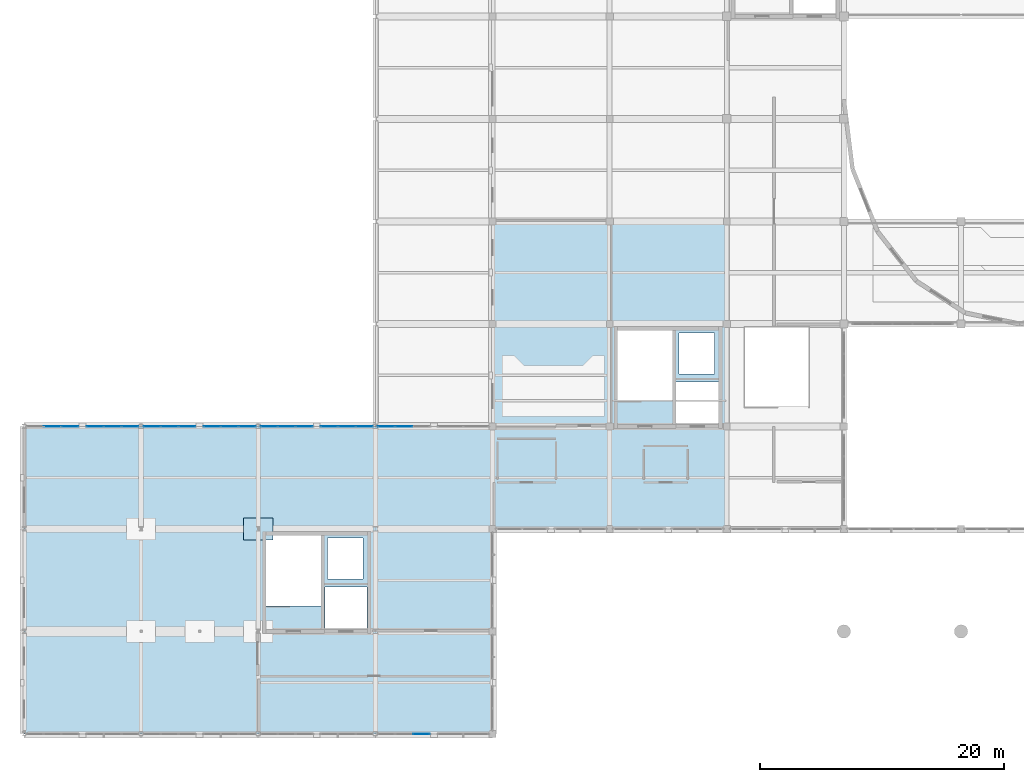
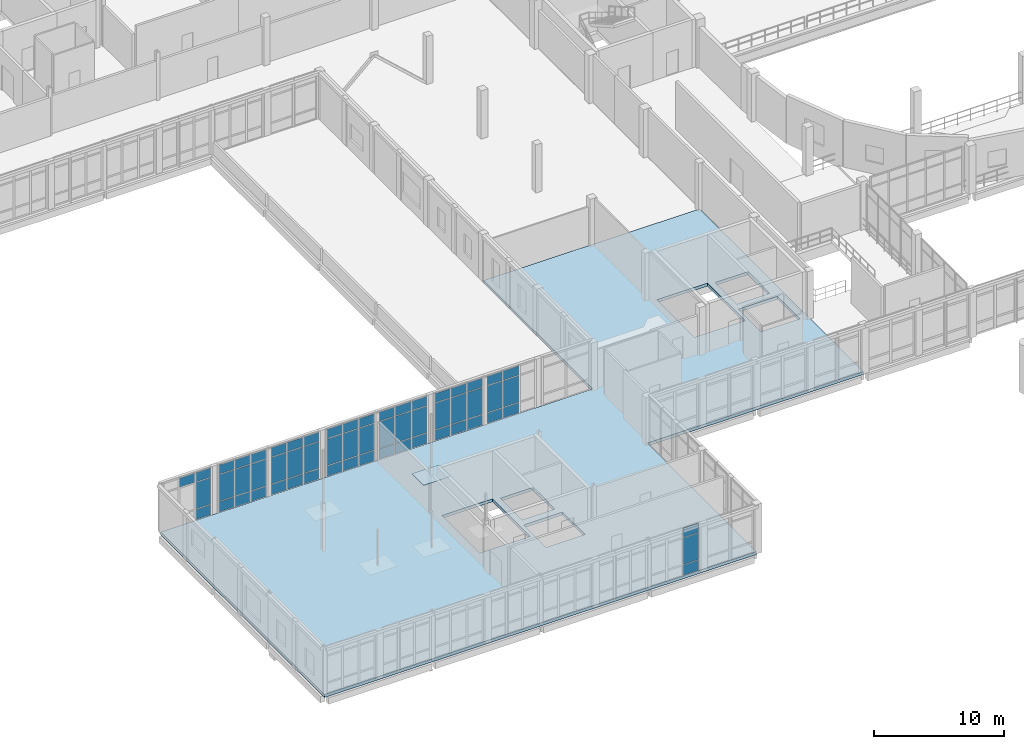
# One storey, part 62 of 88: 59 plates, 1 slab, 8 elements without a shape of their own.
"""IFC4 building model written with IfcOpenShell, lengths in metres."""

import ifcopenshell
import ifcopenshell.guid

model = None  # the IFC model being written
_history = None  # IfcOwnerHistory: only IFC2X3 demands one
_inside = {}  # id of a spatial element -> (the spatial element, [elements in it])
_under = {}  # id of a project, library or spatial element -> (it, [spatial elements below it])
_declared = {}  # id of a project -> (the project, [libraries it declares])
_typed = {}  # id of a type object -> (the type object, [elements of that type])
_made_of = {}  # id of a material, layer set ... -> (it, [elements and type objects made of it])


def new_model(schema):
    """Start an empty IFC model of exactly this schema.

    Asked for "IFC4X3", IfcOpenShell would pick the latest addendum, in which some entities
    have other attributes; the version numbers below select the first issue.
    IFC2X3 requires an IfcOwnerHistory on every rooted entity: one is made here for all.
    """
    global model, _history
    if schema == "IFC4X3":
        model = ifcopenshell.file(schema_version=(4, 3, 0, 0))
    else:
        model = ifcopenshell.file(schema=schema)
    _inside.clear()
    _under.clear()
    _declared.clear()
    _typed.clear()
    _made_of.clear()
    _history = None
    if model.schema == "IFC2X3":
        org = make("IfcOrganization", Name="unknown")
        user = make(
            "IfcPersonAndOrganization",
            ThePerson=make("IfcPerson", FamilyName="unknown"),
            TheOrganization=org,
        )
        app = make(
            "IfcApplication",
            ApplicationDeveloper=org,
            Version="unknown",
            ApplicationFullName="unknown",
            ApplicationIdentifier="unknown",
        )
        _history = make(
            "IfcOwnerHistory",
            OwningUser=user,
            OwningApplication=app,
            ChangeAction="ADDED",
            CreationDate=0,
        )
    return model


def make(cls, **values):
    """One entity of the class cls with the attributes given. An attribute that is None is left unset."""
    return model.create_entity(
        cls, **{name: value for name, value in values.items() if value is not None}
    )


def rooted(cls, **values):
    """An entity with a GlobalId (a new one), such as an element, a storey or a relation."""
    return make(cls, GlobalId=ifcopenshell.guid.new(), OwnerHistory=_history, **values)


def si_unit(unit_type, name, prefix=None):
    """IfcSIUnit, for example si_unit("LENGTHUNIT", "METRE", prefix="MILLI")."""
    return make("IfcSIUnit", UnitType=unit_type, Prefix=prefix, Name=name)


def assignment(units):
    """IfcUnitAssignment: the units of a project."""
    return None if units is None else make("IfcUnitAssignment", Units=units)


def point(xyz):
    """IfcCartesianPoint."""
    return None if xyz is None else make("IfcCartesianPoint", Coordinates=xyz)


def direction(xyz):
    """IfcDirection."""
    return None if xyz is None else make("IfcDirection", DirectionRatios=xyz)


def frame(location, z_axis=None, x_axis=None):
    """IfcAxis2Placement3D, a coordinate frame: its origin and axes. An axis left out is left unset."""
    return make(
        "IfcAxis2Placement3D",
        Location=point(location),
        Axis=direction(z_axis),
        RefDirection=direction(x_axis),
    )


def frame_2d(location, x_axis=None):
    """IfcAxis2Placement2D, a coordinate frame in the plane: its origin and x axis."""
    return make(
        "IfcAxis2Placement2D", Location=point(location), RefDirection=direction(x_axis)
    )


def origin():
    """The frame at (0, 0, 0) with its axes left unset."""
    return frame((0.0, 0.0, 0.0))


def origin_2d():
    """The frame at (0, 0) in the plane with its x axis left unset."""
    return frame_2d((0.0, 0.0))


def place(relative_to, where):
    """IfcLocalPlacement: puts the frame where relative to a parent placement (None: the world)."""
    return make(
        "IfcLocalPlacement", PlacementRelTo=relative_to, RelativePlacement=where
    )


def context(
    kind, dimensions, precision=None, world=None, true_north=None, identifier=None
):
    """IfcGeometricRepresentationContext, for example the 3D "Model" context."""
    return make(
        "IfcGeometricRepresentationContext",
        ContextIdentifier=identifier,
        ContextType=kind,
        CoordinateSpaceDimension=dimensions,
        Precision=precision,
        WorldCoordinateSystem=world,
        TrueNorth=true_north,
    )


def subcontext(parent, identifier, kind, view, scale=None):
    """IfcGeometricRepresentationSubContext, for example "Body" below "Model"."""
    return make(
        "IfcGeometricRepresentationSubContext",
        ContextIdentifier=identifier,
        ContextType=kind,
        ParentContext=parent,
        TargetScale=scale,
        TargetView=view,
    )


def project(units=None, contexts=None):
    """IfcProject with its units and contexts."""
    return rooted(
        "IfcProject",
        Name="project",
        RepresentationContexts=contexts,
        UnitsInContext=assignment(units),
    )


def spatial(cls, under=None, at=None, **own):
    """A site, building, storey or space (cls), placed at a placement, below another one or the project."""
    s = rooted(cls, ObjectPlacement=at, **own)
    if under is not None:
        _under.setdefault(under.id(), (under, []))[1].append(s)
    return s


def polyline(points):
    """IfcPolyline through the points."""
    return make("IfcPolyline", Points=[point(p) for p in points])


def profile(cls, at=None, kind="AREA", **sizes):
    """A parametric profile (cls). Its sizes go by their IFC names, for example OverallWidth=200.0."""
    return make(cls, ProfileType=kind, Position=at, **sizes)


def rectangle(**sizes):
    """IfcRectangleProfileDef."""
    return profile("IfcRectangleProfileDef", **sizes)


def outline(outer, holes=None, kind="AREA"):
    """IfcArbitraryClosedProfileDef: a profile drawn as a closed curve; with holes, ...WithVoids."""
    if holes is None:
        return make("IfcArbitraryClosedProfileDef", ProfileType=kind, OuterCurve=outer)
    return make(
        "IfcArbitraryProfileDefWithVoids",
        ProfileType=kind,
        OuterCurve=outer,
        InnerCurves=holes,
    )


def extrude(swept, where, along, depth):
    """IfcExtrudedAreaSolid: the profile swept, set in the frame where, extruded along a direction by depth."""
    return make(
        "IfcExtrudedAreaSolid",
        SweptArea=swept,
        Position=where,
        ExtrudedDirection=direction(along),
        Depth=depth,
    )


def shape(context_of_items, identifier, shape_type, items):
    """IfcShapeRepresentation: the items that make up one representation, for example the "Body"."""
    return make(
        "IfcShapeRepresentation",
        ContextOfItems=context_of_items,
        RepresentationIdentifier=identifier,
        RepresentationType=shape_type,
        Items=items,
    )


def material(Name=None, Category=None):
    """IfcMaterial."""
    return make("IfcMaterial", Name=Name, Category=Category)


def layer(
    of_material, thickness, ventilated=None, Name=None, Category=None, Priority=None
):
    """IfcMaterialLayer: one layer of a wall or slab, of a material (None: an air gap)."""
    return make(
        "IfcMaterialLayer",
        Material=of_material,
        LayerThickness=thickness,
        IsVentilated=ventilated,
        Name=Name,
        Category=Category,
        Priority=Priority,
    )


def layer_set(layers, Name=None):
    """IfcMaterialLayerSet."""
    return make("IfcMaterialLayerSet", MaterialLayers=layers, LayerSetName=Name)


def made_of(thing, what):
    """Note that an element or type object is made of a material, layer set ...; save() writes the relation."""
    if what is not None:
        _made_of.setdefault(what.id(), (what, []))[1].append(thing)
    return thing


def type_object(cls, material=None, **own):
    """A type object (cls), such as IfcWallType, which elements share."""
    return made_of(rooted(cls, **own), material)


def element(
    cls,
    number,
    at=None,
    inside=None,
    cuts=None,
    type_object=None,
    material=None,
    context=None,
    identifier="Body",
    shape_type=None,
    held_by="IfcProductDefinitionShape",
    body=None,
    shapes=None,
    **own,
):
    """One element of the class cls, such as IfcWall. Its Tag is "e" and its number.

    at: its placement. inside: the storey or other place that contains it. cuts: it is an
    opening in that element (IfcRelVoidsElement). A single representation is given by context,
    identifier, shape_type and body (its items); several are given by shapes. held_by: the class
    of the entity that holds the representations. save() writes the other relations.
    """
    e = rooted(cls, Tag="e%d" % number, ObjectPlacement=at, **own)
    if body is not None:
        shapes = [shape(context, identifier, shape_type, body)]
    if shapes is not None:
        e.Representation = make(held_by, Representations=shapes)
    if inside is not None:
        _inside.setdefault(inside.id(), (inside, []))[1].append(e)
    if cuts is not None:
        rooted(
            "IfcRelVoidsElement", RelatingBuildingElement=cuts, RelatedOpeningElement=e
        )
    if type_object is not None:
        _typed.setdefault(type_object.id(), (type_object, []))[1].append(e)
    return made_of(e, material)


def aggregate(whole, parts):
    """IfcRelAggregates: a whole, such as a stair, and the parts it consists of."""
    return rooted("IfcRelAggregates", RelatingObject=whole, RelatedObjects=parts)


def save(model, path):
    """Write the relations noted so far, then the file.

    IfcRelAggregates (storeys below a building ...), IfcRelContainedInSpatialStructure (elements
    in a storey), IfcRelDefinesByType, IfcRelAssociatesMaterial and IfcRelDeclares: one each for
    every whole, place, type object, material and project.
    """
    for whole, parts in _under.values():
        aggregate(whole, parts)
    for where, things in _inside.values():
        rooted(
            "IfcRelContainedInSpatialStructure",
            RelatedElements=things,
            RelatingStructure=where,
        )
    for kind, things in _typed.values():
        rooted("IfcRelDefinesByType", RelatedObjects=things, RelatingType=kind)
    for what, things in _made_of.values():
        rooted("IfcRelAssociatesMaterial", RelatedObjects=things, RelatingMaterial=what)
    for by, libraries in _declared.values():
        rooted("IfcRelDeclares", RelatingContext=by, RelatedDefinitions=libraries)
    model.write(path)


model = new_model("IFC4")

# Units and contexts
model_context = context("Model", 3, precision=1e-05, world=origin(), true_north=direction((0.0, 1.0)))
body_context = subcontext(model_context, "Body", "Model", "MODEL_VIEW")
ifc_project = project(units=[si_unit("LENGTHUNIT", "METRE"), si_unit("AREAUNIT", "SQUARE_METRE"), si_unit("VOLUMEUNIT", "CUBIC_METRE"), si_unit("PLANEANGLEUNIT", "RADIAN"), si_unit("MASSUNIT", "GRAM", prefix="KILO")], contexts=[model_context])

# Site, building, storey
site_placement = place(None, origin())
site = spatial("IfcSite", under=ifc_project, at=site_placement, CompositionType="ELEMENT")
building_placement = place(site_placement, origin())
building = spatial("IfcBuilding", under=site, at=building_placement, Name="Lornevale Opera House", CompositionType="ELEMENT")
storey_placement = place(building_placement, frame((0.0, 0.0, 10.199951171875)))
storey = spatial("IfcBuildingStorey", under=building, at=storey_placement, Name="L03", CompositionType="ELEMENT", Elevation=10.199951171875)

# Curtain wall, plates
ifc_material_1 = material(Name="Anodized Oxide-Green Aluminium Framing", Category="aluminium")
ifc_layer_1 = layer(ifc_material_1, 0.175048828125)
ifc_layer_set_1 = layer_set([ifc_layer_1], Name="Anodized Oxide-Green Aluminium Framing")
curtain_wall_type = type_object("IfcCurtainWallType", Name="Chamber Cloister Curtain Wall M1700", PredefinedType="NOTDEFINED", material=ifc_layer_set_1)
curtain_wall_1_placement = place(storey_placement, origin())
curtain_wall_1 = element("IfcCurtainWall", 1, at=curtain_wall_1_placement, inside=storey, type_object=curtain_wall_type, Name="Chamber Cloister Curtain Wall M1700 CW-094", PredefinedType="NOTDEFINED")
ifc_material_2 = material(Name="Triple Low-E Insulated Glazing", Category="glass")
ifc_layer_2 = layer(ifc_material_2, 0.0419921875)
ifc_layer_set_2 = layer_set([ifc_layer_2], Name="Triple Low-E Insulated Glazing")
plate_type_1 = type_object("IfcPlateType", Name="Ceramic Fritted Bird-Safe Panel 42", PredefinedType="CURTAIN_PANEL", material=ifc_layer_set_2)
plate_1_placement = place(storey_placement, frame((2.335205078125, 25.199951171875, 3.62255859375), z_axis=(0.0, 0.0, 1.0), x_axis=(1.0, 0.0, 0.0)))
plate_1 = element("IfcPlate", 2, at=plate_1_placement, type_object=plate_type_1, Name="Ceramic Fritted Bird-Safe Panel 42 CW1887", PredefinedType="CURTAIN_PANEL", context=body_context, shape_type="SweptSolid", body=[
    extrude(rectangle(XDim=1.3916015625, YDim=0.0419921875, at=origin_2d()), origin(), (0.0, 0.0, 1.0), 0.8525390625),
])
plate_2_placement = place(storey_placement, frame((3.775390625, 25.199951171875, 0.06494140625), z_axis=(0.0, 0.0, 1.0), x_axis=(1.0, 0.0, 0.0)))
plate_2 = element("IfcPlate", 3, at=plate_2_placement, type_object=plate_type_1, Name="Ceramic Fritted Bird-Safe Panel 42 CW1892", PredefinedType="CURTAIN_PANEL", context=body_context, shape_type="SweptSolid", body=[
    extrude(rectangle(XDim=1.35888671875, YDim=0.0419921875, at=origin_2d()), origin(), (0.0, 0.0, 1.0), 0.952392578125),
])
plate_3_placement = place(storey_placement, frame((3.775390625, 25.199951171875, 1.08251953125), z_axis=(0.0, 0.0, 1.0), x_axis=(1.0, 0.0, 0.0)))
plate_3 = element("IfcPlate", 4, at=plate_3_placement, type_object=plate_type_1, Name="Ceramic Fritted Bird-Safe Panel 42 CW1893", PredefinedType="CURTAIN_PANEL", context=body_context, shape_type="SweptSolid", body=[
    extrude(rectangle(XDim=1.35888671875, YDim=0.0419921875, at=origin_2d()), origin(), (0.0, 0.0, 1.0), 2.47509765625),
])
plate_4_placement = place(storey_placement, frame((3.775390625, 25.199951171875, 3.62255859375), z_axis=(0.0, 0.0, 1.0), x_axis=(1.0, 0.0, 0.0)))
plate_4 = element("IfcPlate", 5, at=plate_4_placement, type_object=plate_type_1, Name="Ceramic Fritted Bird-Safe Panel 42 CW1894", PredefinedType="CURTAIN_PANEL", context=body_context, shape_type="SweptSolid", body=[
    extrude(rectangle(XDim=1.35888671875, YDim=0.0419921875, at=origin_2d()), origin(), (0.0, 0.0, 1.0), 0.8525390625),
])
aggregate(curtain_wall_1, [plate_1, plate_2, plate_3, plate_4])

curtain_wall_2_placement = place(storey_placement, origin())
curtain_wall_2 = element("IfcCurtainWall", 6, at=curtain_wall_2_placement, inside=storey, type_object=curtain_wall_type, Name="Chamber Cloister Curtain Wall M1700 CW-095", PredefinedType="NOTDEFINED")
plate_5_placement = place(storey_placement, frame((5.824462890625, 25.199951171875, 0.06494140625), z_axis=(0.0, 0.0, 1.0), x_axis=(1.0, 0.0, 0.0)))
plate_5 = element("IfcPlate", 7, at=plate_5_placement, type_object=plate_type_1, Name="Ceramic Fritted Bird-Safe Panel 42 CW1903", PredefinedType="CURTAIN_PANEL", context=body_context, shape_type="SweptSolid", body=[
    extrude(rectangle(XDim=1.35888671875, YDim=0.0419921875, at=origin_2d()), origin(), (0.0, 0.0, 1.0), 0.952392578125),
])
plate_6_placement = place(storey_placement, frame((5.824462890625, 25.199951171875, 1.08251953125), z_axis=(0.0, 0.0, 1.0), x_axis=(1.0, 0.0, 0.0)))
plate_6 = element("IfcPlate", 8, at=plate_6_placement, type_object=plate_type_1, Name="Ceramic Fritted Bird-Safe Panel 42 CW1904", PredefinedType="CURTAIN_PANEL", context=body_context, shape_type="SweptSolid", body=[
    extrude(rectangle(XDim=1.35888671875, YDim=0.0419921875, at=origin_2d()), origin(), (0.0, 0.0, 1.0), 2.47509765625),
])
plate_7_placement = place(storey_placement, frame((5.824462890625, 25.199951171875, 3.62255859375), z_axis=(0.0, 0.0, 1.0), x_axis=(1.0, 0.0, 0.0)))
plate_7 = element("IfcPlate", 9, at=plate_7_placement, type_object=plate_type_1, Name="Ceramic Fritted Bird-Safe Panel 42 CW1905", PredefinedType="CURTAIN_PANEL", context=body_context, shape_type="SweptSolid", body=[
    extrude(rectangle(XDim=1.35888671875, YDim=0.0419921875, at=origin_2d()), origin(), (0.0, 0.0, 1.0), 0.8525390625),
])
plate_8_placement = place(storey_placement, frame((7.264892578125, 25.199951171875, 0.06494140625), z_axis=(0.0, 0.0, 1.0), x_axis=(1.0, 0.0, 0.0)))
plate_8 = element("IfcPlate", 10, at=plate_8_placement, type_object=plate_type_1, Name="Ceramic Fritted Bird-Safe Panel 42 CW1910", PredefinedType="CURTAIN_PANEL", context=body_context, shape_type="SweptSolid", body=[
    extrude(rectangle(XDim=1.3916015625, YDim=0.0419921875, at=origin_2d()), origin(), (0.0, 0.0, 1.0), 0.952392578125),
])
plate_9_placement = place(storey_placement, frame((7.264892578125, 25.199951171875, 1.08251953125), z_axis=(0.0, 0.0, 1.0), x_axis=(1.0, 0.0, 0.0)))
plate_9 = element("IfcPlate", 11, at=plate_9_placement, type_object=plate_type_1, Name="Ceramic Fritted Bird-Safe Panel 42 CW1911", PredefinedType="CURTAIN_PANEL", context=body_context, shape_type="SweptSolid", body=[
    extrude(rectangle(XDim=1.3916015625, YDim=0.0419921875, at=origin_2d()), origin(), (0.0, 0.0, 1.0), 2.47509765625),
])
plate_10_placement = place(storey_placement, frame((7.264892578125, 25.199951171875, 3.62255859375), z_axis=(0.0, 0.0, 1.0), x_axis=(1.0, 0.0, 0.0)))
plate_10 = element("IfcPlate", 12, at=plate_10_placement, type_object=plate_type_1, Name="Ceramic Fritted Bird-Safe Panel 42 CW1912", PredefinedType="CURTAIN_PANEL", context=body_context, shape_type="SweptSolid", body=[
    extrude(rectangle(XDim=1.3916015625, YDim=0.0419921875, at=origin_2d()), origin(), (0.0, 0.0, 1.0), 0.8525390625),
])
plate_11_placement = place(storey_placement, frame((8.705078125, 25.199951171875, 0.06494140625), z_axis=(0.0, 0.0, 1.0), x_axis=(1.0, 0.0, 0.0)))
plate_11 = element("IfcPlate", 13, at=plate_11_placement, type_object=plate_type_1, Name="Ceramic Fritted Bird-Safe Panel 42 CW1917", PredefinedType="CURTAIN_PANEL", context=body_context, shape_type="SweptSolid", body=[
    extrude(rectangle(XDim=1.35888671875, YDim=0.0419921875, at=origin_2d()), origin(), (0.0, 0.0, 1.0), 0.952392578125),
])
plate_12_placement = place(storey_placement, frame((8.705078125, 25.199951171875, 1.08251953125), z_axis=(0.0, 0.0, 1.0), x_axis=(1.0, 0.0, 0.0)))
plate_12 = element("IfcPlate", 14, at=plate_12_placement, type_object=plate_type_1, Name="Ceramic Fritted Bird-Safe Panel 42 CW1918", PredefinedType="CURTAIN_PANEL", context=body_context, shape_type="SweptSolid", body=[
    extrude(rectangle(XDim=1.35888671875, YDim=0.0419921875, at=origin_2d()), origin(), (0.0, 0.0, 1.0), 2.47509765625),
])
plate_13_placement = place(storey_placement, frame((8.705078125, 25.199951171875, 3.62255859375), z_axis=(0.0, 0.0, 1.0), x_axis=(1.0, 0.0, 0.0)))
plate_13 = element("IfcPlate", 15, at=plate_13_placement, type_object=plate_type_1, Name="Ceramic Fritted Bird-Safe Panel 42 CW1919", PredefinedType="CURTAIN_PANEL", context=body_context, shape_type="SweptSolid", body=[
    extrude(rectangle(XDim=1.35888671875, YDim=0.0419921875, at=origin_2d()), origin(), (0.0, 0.0, 1.0), 0.8525390625),
])
aggregate(curtain_wall_2, [plate_5, plate_6, plate_7, plate_8, plate_9, plate_10, plate_11, plate_12, plate_13])

curtain_wall_3_placement = place(storey_placement, origin())
curtain_wall_3 = element("IfcCurtainWall", 16, at=curtain_wall_3_placement, inside=storey, type_object=curtain_wall_type, Name="Chamber Cloister Curtain Wall M1700 CW-102", PredefinedType="NOTDEFINED")
plate_14_placement = place(storey_placement, frame((10.4951171875, 25.199951171875, 0.06494140625), z_axis=(0.0, 0.0, 1.0), x_axis=(1.0, 0.0, 0.0)))
plate_14 = element("IfcPlate", 17, at=plate_14_placement, type_object=plate_type_1, Name="Ceramic Fritted Bird-Safe Panel 42 CW2078", PredefinedType="CURTAIN_PANEL", context=body_context, shape_type="SweptSolid", body=[
    extrude(rectangle(XDim=1.35888671875, YDim=0.0419921875, at=origin_2d()), origin(), (0.0, 0.0, 1.0), 0.952392578125),
])
plate_15_placement = place(storey_placement, frame((10.4951171875, 25.199951171875, 1.08251953125), z_axis=(0.0, 0.0, 1.0), x_axis=(1.0, 0.0, 0.0)))
plate_15 = element("IfcPlate", 18, at=plate_15_placement, type_object=plate_type_1, Name="Ceramic Fritted Bird-Safe Panel 42 CW2079", PredefinedType="CURTAIN_PANEL", context=body_context, shape_type="SweptSolid", body=[
    extrude(rectangle(XDim=1.35888671875, YDim=0.0419921875, at=origin_2d()), origin(), (0.0, 0.0, 1.0), 2.47509765625),
])
plate_16_placement = place(storey_placement, frame((10.4951171875, 25.199951171875, 3.62255859375), z_axis=(0.0, 0.0, 1.0), x_axis=(1.0, 0.0, 0.0)))
plate_16 = element("IfcPlate", 19, at=plate_16_placement, type_object=plate_type_1, Name="Ceramic Fritted Bird-Safe Panel 42 CW2080", PredefinedType="CURTAIN_PANEL", context=body_context, shape_type="SweptSolid", body=[
    extrude(rectangle(XDim=1.35888671875, YDim=0.0419921875, at=origin_2d()), origin(), (0.0, 0.0, 1.0), 0.8525390625),
])
plate_17_placement = place(storey_placement, frame((11.935302734375, 25.199951171875, 0.06494140625), z_axis=(0.0, 0.0, 1.0), x_axis=(1.0, 0.0, 0.0)))
plate_17 = element("IfcPlate", 20, at=plate_17_placement, type_object=plate_type_1, Name="Ceramic Fritted Bird-Safe Panel 42 CW2085", PredefinedType="CURTAIN_PANEL", context=body_context, shape_type="SweptSolid", body=[
    extrude(rectangle(XDim=1.3916015625, YDim=0.0419921875, at=origin_2d()), origin(), (0.0, 0.0, 1.0), 0.952392578125),
])
plate_18_placement = place(storey_placement, frame((11.935302734375, 25.199951171875, 1.08251953125), z_axis=(0.0, 0.0, 1.0), x_axis=(1.0, 0.0, 0.0)))
plate_18 = element("IfcPlate", 21, at=plate_18_placement, type_object=plate_type_1, Name="Ceramic Fritted Bird-Safe Panel 42 CW2086", PredefinedType="CURTAIN_PANEL", context=body_context, shape_type="SweptSolid", body=[
    extrude(rectangle(XDim=1.3916015625, YDim=0.0419921875, at=origin_2d()), origin(), (0.0, 0.0, 1.0), 2.47509765625),
])
plate_19_placement = place(storey_placement, frame((11.935302734375, 25.199951171875, 3.62255859375), z_axis=(0.0, 0.0, 1.0), x_axis=(1.0, 0.0, 0.0)))
plate_19 = element("IfcPlate", 22, at=plate_19_placement, type_object=plate_type_1, Name="Ceramic Fritted Bird-Safe Panel 42 CW2087", PredefinedType="CURTAIN_PANEL", context=body_context, shape_type="SweptSolid", body=[
    extrude(rectangle(XDim=1.3916015625, YDim=0.0419921875, at=origin_2d()), origin(), (0.0, 0.0, 1.0), 0.8525390625),
])
plate_20_placement = place(storey_placement, frame((13.37548828125, 25.199951171875, 0.06494140625), z_axis=(0.0, 0.0, 1.0), x_axis=(1.0, 0.0, 0.0)))
plate_20 = element("IfcPlate", 23, at=plate_20_placement, type_object=plate_type_1, Name="Ceramic Fritted Bird-Safe Panel 42 CW2092", PredefinedType="CURTAIN_PANEL", context=body_context, shape_type="SweptSolid", body=[
    extrude(rectangle(XDim=1.35888671875, YDim=0.0419921875, at=origin_2d()), origin(), (0.0, 0.0, 1.0), 0.952392578125),
])
plate_21_placement = place(storey_placement, frame((13.37548828125, 25.199951171875, 1.08251953125), z_axis=(0.0, 0.0, 1.0), x_axis=(1.0, 0.0, 0.0)))
plate_21 = element("IfcPlate", 24, at=plate_21_placement, type_object=plate_type_1, Name="Ceramic Fritted Bird-Safe Panel 42 CW2093", PredefinedType="CURTAIN_PANEL", context=body_context, shape_type="SweptSolid", body=[
    extrude(rectangle(XDim=1.35888671875, YDim=0.0419921875, at=origin_2d()), origin(), (0.0, 0.0, 1.0), 2.47509765625),
])
plate_22_placement = place(storey_placement, frame((13.37548828125, 25.199951171875, 3.62255859375), z_axis=(0.0, 0.0, 1.0), x_axis=(1.0, 0.0, 0.0)))
plate_22 = element("IfcPlate", 25, at=plate_22_placement, type_object=plate_type_1, Name="Ceramic Fritted Bird-Safe Panel 42 CW2094", PredefinedType="CURTAIN_PANEL", context=body_context, shape_type="SweptSolid", body=[
    extrude(rectangle(XDim=1.35888671875, YDim=0.0419921875, at=origin_2d()), origin(), (0.0, 0.0, 1.0), 0.8525390625),
])
aggregate(curtain_wall_3, [plate_14, plate_15, plate_16, plate_17, plate_18, plate_19, plate_20, plate_21, plate_22])

curtain_wall_4_placement = place(storey_placement, origin())
curtain_wall_4 = element("IfcCurtainWall", 26, at=curtain_wall_4_placement, inside=storey, type_object=curtain_wall_type, Name="Chamber Cloister Curtain Wall M1700 CW-103", PredefinedType="NOTDEFINED")
plate_23_placement = place(storey_placement, frame((15.424560546875, 25.199951171875, 0.06494140625), z_axis=(0.0, 0.0, 1.0), x_axis=(1.0, 0.0, 0.0)))
plate_23 = element("IfcPlate", 27, at=plate_23_placement, type_object=plate_type_1, Name="Ceramic Fritted Bird-Safe Panel 42 CW2103", PredefinedType="CURTAIN_PANEL", context=body_context, shape_type="SweptSolid", body=[
    extrude(rectangle(XDim=1.35888671875, YDim=0.0419921875, at=origin_2d()), origin(), (0.0, 0.0, 1.0), 0.952392578125),
])
plate_24_placement = place(storey_placement, frame((15.424560546875, 25.199951171875, 1.08251953125), z_axis=(0.0, 0.0, 1.0), x_axis=(1.0, 0.0, 0.0)))
plate_24 = element("IfcPlate", 28, at=plate_24_placement, type_object=plate_type_1, Name="Ceramic Fritted Bird-Safe Panel 42 CW2104", PredefinedType="CURTAIN_PANEL", context=body_context, shape_type="SweptSolid", body=[
    extrude(rectangle(XDim=1.35888671875, YDim=0.0419921875, at=origin_2d()), origin(), (0.0, 0.0, 1.0), 2.47509765625),
])
plate_25_placement = place(storey_placement, frame((15.424560546875, 25.199951171875, 3.62255859375), z_axis=(0.0, 0.0, 1.0), x_axis=(1.0, 0.0, 0.0)))
plate_25 = element("IfcPlate", 29, at=plate_25_placement, type_object=plate_type_1, Name="Ceramic Fritted Bird-Safe Panel 42 CW2105", PredefinedType="CURTAIN_PANEL", context=body_context, shape_type="SweptSolid", body=[
    extrude(rectangle(XDim=1.35888671875, YDim=0.0419921875, at=origin_2d()), origin(), (0.0, 0.0, 1.0), 0.8525390625),
])
plate_26_placement = place(storey_placement, frame((16.86474609375, 25.199951171875, 0.06494140625), z_axis=(0.0, 0.0, 1.0), x_axis=(1.0, 0.0, 0.0)))
plate_26 = element("IfcPlate", 30, at=plate_26_placement, type_object=plate_type_1, Name="Ceramic Fritted Bird-Safe Panel 42 CW2110", PredefinedType="CURTAIN_PANEL", context=body_context, shape_type="SweptSolid", body=[
    extrude(rectangle(XDim=1.3916015625, YDim=0.0419921875, at=origin_2d()), origin(), (0.0, 0.0, 1.0), 0.952392578125),
])
plate_27_placement = place(storey_placement, frame((16.86474609375, 25.199951171875, 1.08251953125), z_axis=(0.0, 0.0, 1.0), x_axis=(1.0, 0.0, 0.0)))
plate_27 = element("IfcPlate", 31, at=plate_27_placement, type_object=plate_type_1, Name="Ceramic Fritted Bird-Safe Panel 42 CW2111", PredefinedType="CURTAIN_PANEL", context=body_context, shape_type="SweptSolid", body=[
    extrude(rectangle(XDim=1.3916015625, YDim=0.0419921875, at=origin_2d()), origin(), (0.0, 0.0, 1.0), 2.47509765625),
])
plate_28_placement = place(storey_placement, frame((16.86474609375, 25.199951171875, 3.62255859375), z_axis=(0.0, 0.0, 1.0), x_axis=(1.0, 0.0, 0.0)))
plate_28 = element("IfcPlate", 32, at=plate_28_placement, type_object=plate_type_1, Name="Ceramic Fritted Bird-Safe Panel 42 CW2112", PredefinedType="CURTAIN_PANEL", context=body_context, shape_type="SweptSolid", body=[
    extrude(rectangle(XDim=1.3916015625, YDim=0.0419921875, at=origin_2d()), origin(), (0.0, 0.0, 1.0), 0.8525390625),
])
plate_29_placement = place(storey_placement, frame((18.304931640625, 25.199951171875, 0.06494140625), z_axis=(0.0, 0.0, 1.0), x_axis=(1.0, 0.0, 0.0)))
plate_29 = element("IfcPlate", 33, at=plate_29_placement, type_object=plate_type_1, Name="Ceramic Fritted Bird-Safe Panel 42 CW2117", PredefinedType="CURTAIN_PANEL", context=body_context, shape_type="SweptSolid", body=[
    extrude(rectangle(XDim=1.35888671875, YDim=0.0419921875, at=origin_2d()), origin(), (0.0, 0.0, 1.0), 0.952392578125),
])
plate_30_placement = place(storey_placement, frame((18.304931640625, 25.199951171875, 1.08251953125), z_axis=(0.0, 0.0, 1.0), x_axis=(1.0, 0.0, 0.0)))
plate_30 = element("IfcPlate", 34, at=plate_30_placement, type_object=plate_type_1, Name="Ceramic Fritted Bird-Safe Panel 42 CW2118", PredefinedType="CURTAIN_PANEL", context=body_context, shape_type="SweptSolid", body=[
    extrude(rectangle(XDim=1.35888671875, YDim=0.0419921875, at=origin_2d()), origin(), (0.0, 0.0, 1.0), 2.47509765625),
])
plate_31_placement = place(storey_placement, frame((18.304931640625, 25.199951171875, 3.62255859375), z_axis=(0.0, 0.0, 1.0), x_axis=(1.0, 0.0, 0.0)))
plate_31 = element("IfcPlate", 35, at=plate_31_placement, type_object=plate_type_1, Name="Ceramic Fritted Bird-Safe Panel 42 CW2119", PredefinedType="CURTAIN_PANEL", context=body_context, shape_type="SweptSolid", body=[
    extrude(rectangle(XDim=1.35888671875, YDim=0.0419921875, at=origin_2d()), origin(), (0.0, 0.0, 1.0), 0.8525390625),
])
aggregate(curtain_wall_4, [plate_23, plate_24, plate_25, plate_26, plate_27, plate_28, plate_29, plate_30, plate_31])

curtain_wall_5_placement = place(storey_placement, origin())
curtain_wall_5 = element("IfcCurtainWall", 36, at=curtain_wall_5_placement, inside=storey, type_object=curtain_wall_type, Name="Chamber Cloister Curtain Wall M1700 CW-110", PredefinedType="NOTDEFINED")
plate_32_placement = place(storey_placement, frame((20.094970703125, 25.199951171875, 0.06494140625), z_axis=(0.0, 0.0, 1.0), x_axis=(1.0, 0.0, 0.0)))
plate_32 = element("IfcPlate", 37, at=plate_32_placement, type_object=plate_type_1, Name="Ceramic Fritted Bird-Safe Panel 42 CW2278", PredefinedType="CURTAIN_PANEL", context=body_context, shape_type="SweptSolid", body=[
    extrude(rectangle(XDim=1.35888671875, YDim=0.0419921875, at=origin_2d()), origin(), (0.0, 0.0, 1.0), 0.952392578125),
])
plate_33_placement = place(storey_placement, frame((20.094970703125, 25.199951171875, 1.08251953125), z_axis=(0.0, 0.0, 1.0), x_axis=(1.0, 0.0, 0.0)))
plate_33 = element("IfcPlate", 38, at=plate_33_placement, type_object=plate_type_1, Name="Ceramic Fritted Bird-Safe Panel 42 CW2279", PredefinedType="CURTAIN_PANEL", context=body_context, shape_type="SweptSolid", body=[
    extrude(rectangle(XDim=1.35888671875, YDim=0.0419921875, at=origin_2d()), origin(), (0.0, 0.0, 1.0), 2.47509765625),
])
plate_34_placement = place(storey_placement, frame((20.094970703125, 25.199951171875, 3.62255859375), z_axis=(0.0, 0.0, 1.0), x_axis=(1.0, 0.0, 0.0)))
plate_34 = element("IfcPlate", 39, at=plate_34_placement, type_object=plate_type_1, Name="Ceramic Fritted Bird-Safe Panel 42 CW2280", PredefinedType="CURTAIN_PANEL", context=body_context, shape_type="SweptSolid", body=[
    extrude(rectangle(XDim=1.35888671875, YDim=0.0419921875, at=origin_2d()), origin(), (0.0, 0.0, 1.0), 0.8525390625),
])
plate_35_placement = place(storey_placement, frame((21.53515625, 25.199951171875, 0.06494140625), z_axis=(0.0, 0.0, 1.0), x_axis=(1.0, 0.0, 0.0)))
plate_35 = element("IfcPlate", 40, at=plate_35_placement, type_object=plate_type_1, Name="Ceramic Fritted Bird-Safe Panel 42 CW2285", PredefinedType="CURTAIN_PANEL", context=body_context, shape_type="SweptSolid", body=[
    extrude(rectangle(XDim=1.3916015625, YDim=0.0419921875, at=origin_2d()), origin(), (0.0, 0.0, 1.0), 0.952392578125),
])
plate_36_placement = place(storey_placement, frame((21.53515625, 25.199951171875, 1.08251953125), z_axis=(0.0, 0.0, 1.0), x_axis=(1.0, 0.0, 0.0)))
plate_36 = element("IfcPlate", 41, at=plate_36_placement, type_object=plate_type_1, Name="Ceramic Fritted Bird-Safe Panel 42 CW2286", PredefinedType="CURTAIN_PANEL", context=body_context, shape_type="SweptSolid", body=[
    extrude(rectangle(XDim=1.3916015625, YDim=0.0419921875, at=origin_2d()), origin(), (0.0, 0.0, 1.0), 2.47509765625),
])
plate_37_placement = place(storey_placement, frame((21.53515625, 25.199951171875, 3.62255859375), z_axis=(0.0, 0.0, 1.0), x_axis=(1.0, 0.0, 0.0)))
plate_37 = element("IfcPlate", 42, at=plate_37_placement, type_object=plate_type_1, Name="Ceramic Fritted Bird-Safe Panel 42 CW2287", PredefinedType="CURTAIN_PANEL", context=body_context, shape_type="SweptSolid", body=[
    extrude(rectangle(XDim=1.3916015625, YDim=0.0419921875, at=origin_2d()), origin(), (0.0, 0.0, 1.0), 0.8525390625),
])
plate_38_placement = place(storey_placement, frame((22.9755859375, 25.199951171875, 0.06494140625), z_axis=(0.0, 0.0, 1.0), x_axis=(1.0, 0.0, 0.0)))
plate_38 = element("IfcPlate", 43, at=plate_38_placement, type_object=plate_type_1, Name="Ceramic Fritted Bird-Safe Panel 42 CW2292", PredefinedType="CURTAIN_PANEL", context=body_context, shape_type="SweptSolid", body=[
    extrude(rectangle(XDim=1.35888671875, YDim=0.0419921875, at=origin_2d()), origin(), (0.0, 0.0, 1.0), 0.952392578125),
])
plate_39_placement = place(storey_placement, frame((22.9755859375, 25.199951171875, 1.08251953125), z_axis=(0.0, 0.0, 1.0), x_axis=(1.0, 0.0, 0.0)))
plate_39 = element("IfcPlate", 44, at=plate_39_placement, type_object=plate_type_1, Name="Ceramic Fritted Bird-Safe Panel 42 CW2293", PredefinedType="CURTAIN_PANEL", context=body_context, shape_type="SweptSolid", body=[
    extrude(rectangle(XDim=1.35888671875, YDim=0.0419921875, at=origin_2d()), origin(), (0.0, 0.0, 1.0), 2.47509765625),
])
plate_40_placement = place(storey_placement, frame((22.9755859375, 25.199951171875, 3.62255859375), z_axis=(0.0, 0.0, 1.0), x_axis=(1.0, 0.0, 0.0)))
plate_40 = element("IfcPlate", 45, at=plate_40_placement, type_object=plate_type_1, Name="Ceramic Fritted Bird-Safe Panel 42 CW2294", PredefinedType="CURTAIN_PANEL", context=body_context, shape_type="SweptSolid", body=[
    extrude(rectangle(XDim=1.35888671875, YDim=0.0419921875, at=origin_2d()), origin(), (0.0, 0.0, 1.0), 0.8525390625),
])
aggregate(curtain_wall_5, [plate_32, plate_33, plate_34, plate_35, plate_36, plate_37, plate_38, plate_39, plate_40])

curtain_wall_6_placement = place(storey_placement, origin())
curtain_wall_6 = element("IfcCurtainWall", 46, at=curtain_wall_6_placement, inside=storey, type_object=curtain_wall_type, Name="Chamber Cloister Curtain Wall M1700 CW-111", PredefinedType="NOTDEFINED")
plate_41_placement = place(storey_placement, frame((25.0244140625, 25.199951171875, 0.06494140625), z_axis=(0.0, 0.0, 1.0), x_axis=(1.0, 0.0, 0.0)))
plate_41 = element("IfcPlate", 47, at=plate_41_placement, type_object=plate_type_1, Name="Ceramic Fritted Bird-Safe Panel 42 CW2303", PredefinedType="CURTAIN_PANEL", context=body_context, shape_type="SweptSolid", body=[
    extrude(rectangle(XDim=1.35888671875, YDim=0.0419921875, at=origin_2d()), origin(), (0.0, 0.0, 1.0), 0.952392578125),
])
plate_42_placement = place(storey_placement, frame((25.0244140625, 25.199951171875, 1.08251953125), z_axis=(0.0, 0.0, 1.0), x_axis=(1.0, 0.0, 0.0)))
plate_42 = element("IfcPlate", 48, at=plate_42_placement, type_object=plate_type_1, Name="Ceramic Fritted Bird-Safe Panel 42 CW2304", PredefinedType="CURTAIN_PANEL", context=body_context, shape_type="SweptSolid", body=[
    extrude(rectangle(XDim=1.35888671875, YDim=0.0419921875, at=origin_2d()), origin(), (0.0, 0.0, 1.0), 2.47509765625),
])
plate_43_placement = place(storey_placement, frame((25.0244140625, 25.199951171875, 3.62255859375), z_axis=(0.0, 0.0, 1.0), x_axis=(1.0, 0.0, 0.0)))
plate_43 = element("IfcPlate", 49, at=plate_43_placement, type_object=plate_type_1, Name="Ceramic Fritted Bird-Safe Panel 42 CW2305", PredefinedType="CURTAIN_PANEL", context=body_context, shape_type="SweptSolid", body=[
    extrude(rectangle(XDim=1.35888671875, YDim=0.0419921875, at=origin_2d()), origin(), (0.0, 0.0, 1.0), 0.8525390625),
])
plate_44_placement = place(storey_placement, frame((26.46484375, 25.199951171875, 0.06494140625), z_axis=(0.0, 0.0, 1.0), x_axis=(1.0, 0.0, 0.0)))
plate_44 = element("IfcPlate", 50, at=plate_44_placement, type_object=plate_type_1, Name="Ceramic Fritted Bird-Safe Panel 42 CW2310", PredefinedType="CURTAIN_PANEL", context=body_context, shape_type="SweptSolid", body=[
    extrude(rectangle(XDim=1.3916015625, YDim=0.0419921875, at=origin_2d()), origin(), (0.0, 0.0, 1.0), 0.952392578125),
])
plate_45_placement = place(storey_placement, frame((26.46484375, 25.199951171875, 1.08251953125), z_axis=(0.0, 0.0, 1.0), x_axis=(1.0, 0.0, 0.0)))
plate_45 = element("IfcPlate", 51, at=plate_45_placement, type_object=plate_type_1, Name="Ceramic Fritted Bird-Safe Panel 42 CW2311", PredefinedType="CURTAIN_PANEL", context=body_context, shape_type="SweptSolid", body=[
    extrude(rectangle(XDim=1.3916015625, YDim=0.0419921875, at=origin_2d()), origin(), (0.0, 0.0, 1.0), 2.47509765625),
])
plate_46_placement = place(storey_placement, frame((26.46484375, 25.199951171875, 3.62255859375), z_axis=(0.0, 0.0, 1.0), x_axis=(1.0, 0.0, 0.0)))
plate_46 = element("IfcPlate", 52, at=plate_46_placement, type_object=plate_type_1, Name="Ceramic Fritted Bird-Safe Panel 42 CW2312", PredefinedType="CURTAIN_PANEL", context=body_context, shape_type="SweptSolid", body=[
    extrude(rectangle(XDim=1.3916015625, YDim=0.0419921875, at=origin_2d()), origin(), (0.0, 0.0, 1.0), 0.8525390625),
])
plate_47_placement = place(storey_placement, frame((27.905029296875, 25.199951171875, 0.06494140625), z_axis=(0.0, 0.0, 1.0), x_axis=(1.0, 0.0, 0.0)))
plate_47 = element("IfcPlate", 53, at=plate_47_placement, type_object=plate_type_1, Name="Ceramic Fritted Bird-Safe Panel 42 CW2317", PredefinedType="CURTAIN_PANEL", context=body_context, shape_type="SweptSolid", body=[
    extrude(rectangle(XDim=1.35888671875, YDim=0.0419921875, at=origin_2d()), origin(), (0.0, 0.0, 1.0), 0.952392578125),
])
plate_48_placement = place(storey_placement, frame((27.905029296875, 25.199951171875, 1.08251953125), z_axis=(0.0, 0.0, 1.0), x_axis=(1.0, 0.0, 0.0)))
plate_48 = element("IfcPlate", 54, at=plate_48_placement, type_object=plate_type_1, Name="Ceramic Fritted Bird-Safe Panel 42 CW2318", PredefinedType="CURTAIN_PANEL", context=body_context, shape_type="SweptSolid", body=[
    extrude(rectangle(XDim=1.35888671875, YDim=0.0419921875, at=origin_2d()), origin(), (0.0, 0.0, 1.0), 2.47509765625),
])
plate_49_placement = place(storey_placement, frame((27.905029296875, 25.199951171875, 3.62255859375), z_axis=(0.0, 0.0, 1.0), x_axis=(1.0, 0.0, 0.0)))
plate_49 = element("IfcPlate", 55, at=plate_49_placement, type_object=plate_type_1, Name="Ceramic Fritted Bird-Safe Panel 42 CW2319", PredefinedType="CURTAIN_PANEL", context=body_context, shape_type="SweptSolid", body=[
    extrude(rectangle(XDim=1.35888671875, YDim=0.0419921875, at=origin_2d()), origin(), (0.0, 0.0, 1.0), 0.8525390625),
])
aggregate(curtain_wall_6, [plate_41, plate_42, plate_43, plate_44, plate_45, plate_46, plate_47, plate_48, plate_49])

curtain_wall_7_placement = place(storey_placement, origin())
curtain_wall_7 = element("IfcCurtainWall", 56, at=curtain_wall_7_placement, inside=storey, type_object=curtain_wall_type, Name="Chamber Cloister Curtain Wall M1700 CW-117", PredefinedType="NOTDEFINED")
plate_50_placement = place(storey_placement, frame((32.575439453125, 0.0, 0.06494140625), z_axis=(0.0, 0.0, 1.0), x_axis=(-1.0, 0.0, 0.0)))
plate_50 = element("IfcPlate", 57, at=plate_50_placement, type_object=plate_type_1, Name="Ceramic Fritted Bird-Safe Panel 42 CW2445", PredefinedType="CURTAIN_PANEL", context=body_context, shape_type="SweptSolid", body=[
    extrude(rectangle(XDim=1.35888671875, YDim=0.0419921875, at=origin_2d()), origin(), (0.0, 0.0, 1.0), 0.952392578125),
])
plate_51_placement = place(storey_placement, frame((32.575439453125, 0.0, 1.08251953125), z_axis=(0.0, 0.0, 1.0), x_axis=(-1.0, 0.0, 0.0)))
plate_51 = element("IfcPlate", 58, at=plate_51_placement, type_object=plate_type_1, Name="Ceramic Fritted Bird-Safe Panel 42 CW2446", PredefinedType="CURTAIN_PANEL", context=body_context, shape_type="SweptSolid", body=[
    extrude(rectangle(XDim=1.35888671875, YDim=0.0419921875, at=origin_2d()), origin(), (0.0, 0.0, 1.0), 2.47509765625),
])
plate_52_placement = place(storey_placement, frame((32.575439453125, 0.0, 3.62255859375), z_axis=(0.0, 0.0, 1.0), x_axis=(-1.0, 0.0, 0.0)))
plate_52 = element("IfcPlate", 59, at=plate_52_placement, type_object=plate_type_1, Name="Ceramic Fritted Bird-Safe Panel 42 CW2447", PredefinedType="CURTAIN_PANEL", context=body_context, shape_type="SweptSolid", body=[
    extrude(rectangle(XDim=1.35888671875, YDim=0.0419921875, at=origin_2d()), origin(), (0.0, 0.0, 1.0), 0.8525390625),
])
aggregate(curtain_wall_7, [plate_50, plate_51, plate_52])

curtain_wall_8_placement = place(storey_placement, origin())
curtain_wall_8 = element("IfcCurtainWall", 60, at=curtain_wall_8_placement, inside=storey, type_object=curtain_wall_type, Name="Chamber Cloister Curtain Wall M1700 CW-122", PredefinedType="NOTDEFINED")
plate_53_placement = place(storey_placement, frame((29.695068359375, 25.199951171875, 0.06494140625), z_axis=(0.0, 0.0, 1.0), x_axis=(1.0, 0.0, 0.0)))
plate_53 = element("IfcPlate", 61, at=plate_53_placement, type_object=plate_type_1, Name="Ceramic Fritted Bird-Safe Panel 42 CW2538", PredefinedType="CURTAIN_PANEL", context=body_context, shape_type="SweptSolid", body=[
    extrude(rectangle(XDim=1.35888671875, YDim=0.0419921875, at=origin_2d()), origin(), (0.0, 0.0, 1.0), 0.952392578125),
])
plate_54_placement = place(storey_placement, frame((29.695068359375, 25.199951171875, 1.08251953125), z_axis=(0.0, 0.0, 1.0), x_axis=(1.0, 0.0, 0.0)))
plate_54 = element("IfcPlate", 62, at=plate_54_placement, type_object=plate_type_1, Name="Ceramic Fritted Bird-Safe Panel 42 CW2539", PredefinedType="CURTAIN_PANEL", context=body_context, shape_type="SweptSolid", body=[
    extrude(rectangle(XDim=1.35888671875, YDim=0.0419921875, at=origin_2d()), origin(), (0.0, 0.0, 1.0), 2.47509765625),
])
plate_55_placement = place(storey_placement, frame((29.695068359375, 25.199951171875, 3.62255859375), z_axis=(0.0, 0.0, 1.0), x_axis=(1.0, 0.0, 0.0)))
plate_55 = element("IfcPlate", 63, at=plate_55_placement, type_object=plate_type_1, Name="Ceramic Fritted Bird-Safe Panel 42 CW2540", PredefinedType="CURTAIN_PANEL", context=body_context, shape_type="SweptSolid", body=[
    extrude(rectangle(XDim=1.35888671875, YDim=0.0419921875, at=origin_2d()), origin(), (0.0, 0.0, 1.0), 0.8525390625),
])
plate_56_placement = place(storey_placement, frame((31.13525390625, 25.199951171875, 0.06494140625), z_axis=(0.0, 0.0, 1.0), x_axis=(1.0, 0.0, 0.0)))
plate_56 = element("IfcPlate", 64, at=plate_56_placement, type_object=plate_type_1, Name="Ceramic Fritted Bird-Safe Panel 42 CW2545", PredefinedType="CURTAIN_PANEL", context=body_context, shape_type="SweptSolid", body=[
    extrude(rectangle(XDim=1.3916015625, YDim=0.0419921875, at=origin_2d()), origin(), (0.0, 0.0, 1.0), 0.952392578125),
])
plate_57_placement = place(storey_placement, frame((31.13525390625, 25.199951171875, 1.08251953125), z_axis=(0.0, 0.0, 1.0), x_axis=(1.0, 0.0, 0.0)))
plate_57 = element("IfcPlate", 65, at=plate_57_placement, type_object=plate_type_1, Name="Ceramic Fritted Bird-Safe Panel 42 CW2546", PredefinedType="CURTAIN_PANEL", context=body_context, shape_type="SweptSolid", body=[
    extrude(rectangle(XDim=1.3916015625, YDim=0.0419921875, at=origin_2d()), origin(), (0.0, 0.0, 1.0), 2.47509765625),
])
plate_58_placement = place(storey_placement, frame((31.13525390625, 25.199951171875, 3.62255859375), z_axis=(0.0, 0.0, 1.0), x_axis=(1.0, 0.0, 0.0)))
plate_58 = element("IfcPlate", 66, at=plate_58_placement, type_object=plate_type_1, Name="Ceramic Fritted Bird-Safe Panel 42 CW2547", PredefinedType="CURTAIN_PANEL", context=body_context, shape_type="SweptSolid", body=[
    extrude(rectangle(XDim=1.3916015625, YDim=0.0419921875, at=origin_2d()), origin(), (0.0, 0.0, 1.0), 0.8525390625),
])
aggregate(curtain_wall_8, [plate_53, plate_54, plate_55, plate_56, plate_57, plate_58])

# Plate
ifc_material_3 = material(Name="White Oak Acoustic Panelling", Category="wood")
ifc_layer_3 = layer(ifc_material_3, 1.800048828125)
ifc_layer_set_3 = layer_set([ifc_layer_3], Name="White Oak Acoustic Panelling")
plate_type_2 = type_object("IfcPlateType", Name="Chamber Acoustic Reflector 2400x1800", PredefinedType="SHEET", material=ifc_layer_set_3)
plate_59_placement = place(storey_placement, frame((19.199951171875, 16.800048828125, 3.6748046875), z_axis=(0.0, 0.0, 1.0), x_axis=(1.0, 0.0, 0.0)))
element("IfcPlate", 67, at=plate_59_placement, inside=storey, type_object=plate_type_2, Name="Chamber Acoustic Reflector PT-0045", PredefinedType="SHEET", context=body_context, shape_type="SweptSolid", body=[
    extrude(rectangle(XDim=2.39990234375, YDim=1.800048828125, at=origin_2d()), origin(), (0.0, 0.0, 1.0), 0.050048828125),
])

# Slab
ifc_material_4 = material(Name="Concrete 35 MPa (CSA A23.1 N)", Category="concrete")
ifc_layer_4 = layer(ifc_material_4, 0.280029296875)
ifc_layer_set_4 = layer_set([ifc_layer_4], Name="Concrete 35 MPa (CSA A23.1 N)")
slab_type = type_object("IfcSlabType", Name="Dress Circle Floor Slab 280", PredefinedType="FLOOR", material=ifc_layer_set_4)
slab_placement = place(storey_placement, frame((0.0, 0.0, -0.280029296875)))
element("IfcSlab", 68, at=slab_placement, inside=storey, type_object=slab_type, Name="Dress Circle Floor Slab 280 SL-045", PredefinedType="FLOOR", context=body_context, shape_type="SweptSolid", body=[
    extrude(outline(polyline([(0.0, 25.199951171875), (9.60009765625, 25.199951171875), (19.199951171875, 25.199951171875), (28.800048828125, 25.199951171875), (38.39990234375, 25.199951171875), (38.39990234375, 33.60009765625), (38.39990234375, 42.0), (48.0, 42.0), (57.60009765625, 42.0), (57.60009765625, 33.60009765625), (57.60009765625, 25.199951171875), (57.60009765625, 16.800048828125), (48.0, 16.800048828125), (38.39990234375, 16.800048828125), (38.39990234375, 8.39990234375), (38.39990234375, 0.0), (28.800048828125, 0.0), (19.199951171875, 0.0), (9.60009765625, 0.0), (0.0, 0.0), (0.0, 8.39990234375), (0.0, 16.800048828125), (0.0, 25.199951171875)]), holes=[polyline([(53.4599609375, 25.3798828125), (56.919921875, 25.3798828125), (56.919921875, 28.840087890625), (53.4599609375, 28.840087890625), (53.4599609375, 25.3798828125)]), polyline([(48.659912109375, 27.280029296875), (53.139892578125, 27.280029296875), (53.139892578125, 33.080078125), (48.659912109375, 33.080078125), (48.659912109375, 27.280029296875)]), polyline([(24.659912109375, 8.580078125), (28.1201171875, 8.580078125), (28.1201171875, 12.0400390625), (24.659912109375, 12.0400390625), (24.659912109375, 8.580078125)]), polyline([(19.860107421875, 10.47998046875), (24.340087890625, 10.47998046875), (24.340087890625, 16.280029296875), (19.860107421875, 16.280029296875), (19.860107421875, 10.47998046875)]), polyline([(53.699951171875, 29.5), (56.60009765625, 29.5), (56.60009765625, 32.840087890625), (53.699951171875, 32.840087890625), (53.699951171875, 29.5)]), polyline([(24.89990234375, 12.699951171875), (27.800048828125, 12.699951171875), (27.800048828125, 16.0400390625), (24.89990234375, 16.0400390625), (24.89990234375, 12.699951171875)])]), origin(), (0.0, 0.0, 1.0), 0.280029296875),
])

save(model, "model.ifc")
